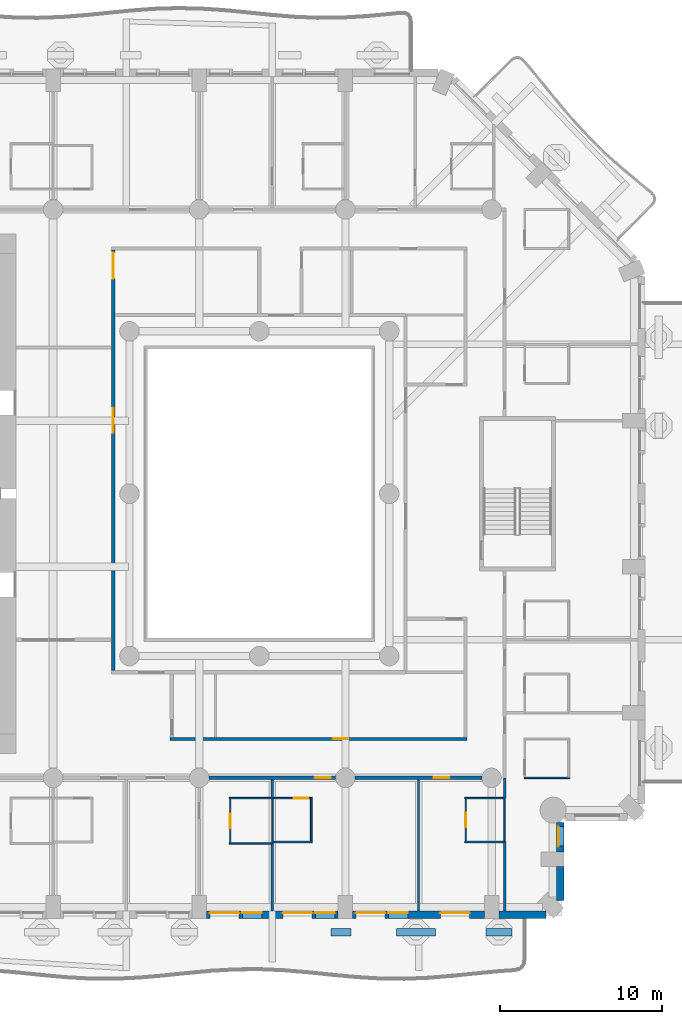
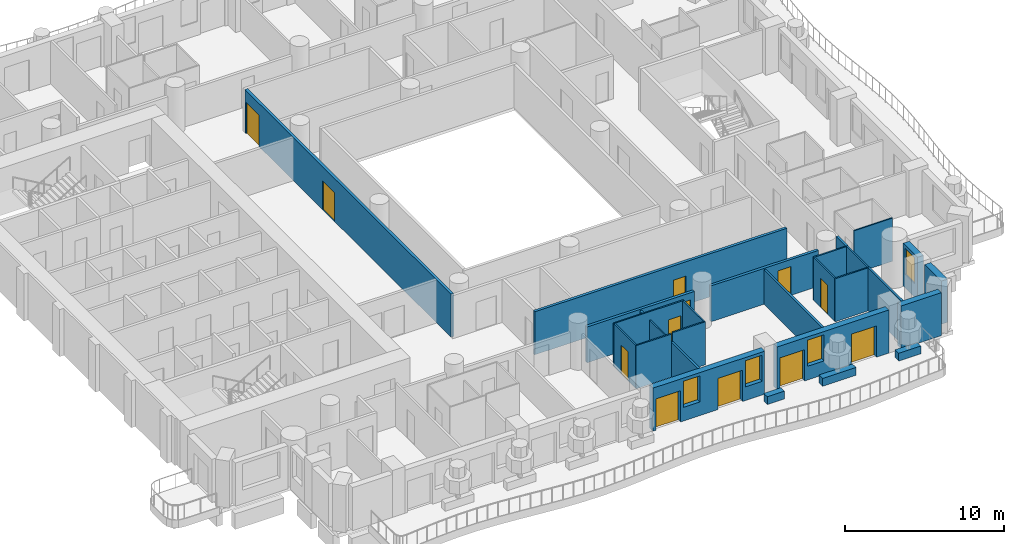
# One storey, part 5 of 20: 28 walls, 12 doors, 4 windows, 16 openings.
"""IFC4 building model written with IfcOpenShell, lengths in metres."""

from ifc_helpers import new_model, si_unit, direction, frame, frame_2d, origin, place, context, subcontext, project, spatial, rectangle, extrude, material, layer, layer_set, type_object, element, fill, save


model = new_model("IFC4")

# Units and contexts
model_context = context("Model", 3, precision=1e-05, world=origin(), true_north=direction((0.0, 1.0)))
body_context = subcontext(model_context, "Body", "Model", "MODEL_VIEW")
ifc_project = project(units=[si_unit("LENGTHUNIT", "METRE"), si_unit("AREAUNIT", "SQUARE_METRE"), si_unit("VOLUMEUNIT", "CUBIC_METRE"), si_unit("PLANEANGLEUNIT", "RADIAN"), si_unit("MASSUNIT", "GRAM", prefix="KILO")], contexts=[model_context])

# Site, building, storey
site_placement = place(None, origin())
site = spatial("IfcSite", under=ifc_project, at=site_placement, CompositionType="ELEMENT")
building_placement = place(site_placement, origin())
building = spatial("IfcBuilding", under=site, at=building_placement, Name="Cypress Arch Tower", CompositionType="ELEMENT")
storey_placement = place(building_placement, frame((0.0, 0.0, 80.699951171875)))
storey = spatial("IfcBuildingStorey", under=building, at=storey_placement, Name="L14", CompositionType="ELEMENT", Elevation=80.699951171875)

# Walls
ifc_material_1 = material(Name="Concrete C40/50, waterproofed", Category="concrete")
ifc_layer_1 = layer(ifc_material_1, 0.449951171875)
ifc_layer_set_1 = layer_set([ifc_layer_1], Name="Balcony planter wall PW450")
wall_type_1 = type_object("IfcWallType", Name="Balcony planter wall PW450", PredefinedType="SOLIDWALL", material=ifc_layer_set_1)
wall_1_placement = place(storey_placement, frame((5.419921875, -27.0, 0.0), z_axis=(0.0, 0.0, 1.0), x_axis=(1.0, 0.0, 0.0)))
element("IfcWall", 1, at=wall_1_placement, inside=storey, type_object=wall_type_1, Name="Balcony planter wall L14-A03.5", PredefinedType="SOLIDWALL", context=body_context, shape_type="SweptSolid", body=[
    extrude(rectangle(XDim=1.22998046875, YDim=0.449951171875, at=frame_2d((0.614990234375, 0.0))), origin(), (0.0, 0.0, 1.0), 0.60009765625),
])
wall_2_placement = place(storey_placement, frame((9.429931640625, -27.0, 0.0), z_axis=(0.0, 0.0, 1.0), x_axis=(1.0, 0.0, 0.0)))
element("IfcWall", 2, at=wall_2_placement, inside=storey, type_object=wall_type_1, Name="Balcony planter wall L14-A03.6", PredefinedType="SOLIDWALL", context=body_context, shape_type="SweptSolid", body=[
    extrude(rectangle(XDim=2.420166015625, YDim=0.449951171875, at=frame_2d((1.2099609375, 0.0))), origin(), (0.0, 0.0, 1.0), 0.60009765625),
])
wall_3_placement = place(storey_placement, frame((14.949951171875, -27.0, 0.0), z_axis=(0.0, 0.0, 1.0), x_axis=(1.0, 0.0, 0.0)))
element("IfcWall", 3, at=wall_3_placement, inside=storey, type_object=wall_type_1, Name="Balcony planter wall L14-A03.7", PredefinedType="SOLIDWALL", context=body_context, shape_type="SweptSolid", body=[
    extrude(rectangle(XDim=1.60009765625, YDim=0.449951171875, at=frame_2d((0.800048828125, 0.0))), origin(), (0.0, 0.0, 1.0), 0.60009765625),
])

# Wall, openings, doors, windows
ifc_material_2 = material(Name="Brick (red buff blend)", Category="masonry")
ifc_layer_2 = layer(ifc_material_2, 0.449951171875)
ifc_layer_set_2 = layer_set([ifc_layer_2], Name="Brick pier and spandrel wall BW450")
wall_type_2 = type_object("IfcWallType", Name="Brick pier and spandrel wall BW450", PredefinedType="SOLIDWALL", material=ifc_layer_set_2)
wall_4_placement = place(storey_placement, frame((-2.25, -25.925048828125, 0.0), z_axis=(0.0, 0.0, 1.0), x_axis=(1.0, 0.0, 0.0)))
wall_4 = element("IfcWall", 4, at=wall_4_placement, inside=storey, type_object=wall_type_2, Name="Brick wall L14 A03.3", PredefinedType="SOLIDWALL", context=body_context, shape_type="SweptSolid", body=[
    extrude(rectangle(XDim=8.10009765625, YDim=0.449951171875, at=frame_2d((4.050048828125, 0.0))), origin(), (0.0, 0.0, 1.0), 3.300048828125),
])
opening_1_placement = place(wall_4_placement, frame((0.199951171875, 0.0, 0.0)))
opening_1 = element("IfcOpeningElement", 5, at=opening_1_placement, cuts=wall_4, Name="Opening D-L14-A03.3.1", PredefinedType="OPENING", context=body_context, shape_type="SweptSolid", body=[
    extrude(rectangle(XDim=1.800048828125, YDim=2.39990234375, at=frame_2d((0.89990234375, 1.199951171875))), frame((0.0, 0.23486328125, 0.0), z_axis=(0.0, -1.0, 0.0), x_axis=(1.0, 0.0, 0.0)), (0.0, 0.0, 1.0), 0.469970703125),
])
opening_2_placement = place(wall_4_placement, frame((2.199951171875, 0.0, 1.050048828125)))
opening_2 = element("IfcOpeningElement", 6, at=opening_2_placement, cuts=wall_4, Name="Opening W120HD", PredefinedType="OPENING", context=body_context, shape_type="SweptSolid", body=[
    extrude(rectangle(XDim=1.199951171875, YDim=2.0, at=frame_2d((0.60009765625, 1.0))), frame((0.0, 0.23486328125, 0.0), z_axis=(0.0, -1.0, 0.0), x_axis=(1.0, 0.0, 0.0)), (0.0, 0.0, 1.0), 0.469970703125),
])
opening_3_placement = place(wall_4_placement, frame((4.699951171875, 0.0, 0.0)))
opening_3 = element("IfcOpeningElement", 7, at=opening_3_placement, cuts=wall_4, Name="Opening D-L14-A03.3.2", PredefinedType="OPENING", context=body_context, shape_type="SweptSolid", body=[
    extrude(rectangle(XDim=1.800048828125, YDim=2.39990234375, at=frame_2d((0.89990234375, 1.199951171875))), frame((0.0, 0.23486328125, 0.0), z_axis=(0.0, -1.0, 0.0), x_axis=(1.0, 0.0, 0.0)), (0.0, 0.0, 1.0), 0.469970703125),
])
opening_4_placement = place(wall_4_placement, frame((6.699951171875, 0.0, 1.050048828125)))
opening_4 = element("IfcOpeningElement", 8, at=opening_4_placement, cuts=wall_4, Name="Opening W120HD", PredefinedType="OPENING", context=body_context, shape_type="SweptSolid", body=[
    extrude(rectangle(XDim=1.199951171875, YDim=2.0, at=frame_2d((0.60009765625, 1.0))), frame((0.0, 0.23486328125, 0.0), z_axis=(0.0, -1.0, 0.0), x_axis=(1.0, 0.0, 0.0)), (0.0, 0.0, 1.0), 0.469970703125),
])
ifc_material_3 = material(Name="Anodised aluminium, bronze finish, laminated low-emissivity double glazing, large-missile impact rated", Category="aluminium")
door_type_1 = type_object("IfcDoorType", Name="Balcony sliding door 1800x2400", OperationType="SLIDING_TO_LEFT", PredefinedType="DOOR", material=ifc_material_3)
door_1_placement = place(opening_1_placement, origin())
door_1 = element("IfcDoor", 9, at=door_1_placement, inside=storey, type_object=door_type_1, Name="Balcony door L14 A03.3.1", OperationType="SLIDING_TO_LEFT", OverallHeight=2.39990234375, OverallWidth=1.800048828125, PredefinedType="DOOR", context=body_context, shape_type="SweptSolid", body=[
    extrude(rectangle(XDim=1.800048828125, YDim=2.39990234375, at=frame_2d((0.89990234375, 1.199951171875))), frame((0.0, 0.1298828125, 0.0), z_axis=(0.0, -1.0, 0.0), x_axis=(1.0, 0.0, 0.0)), (0.0, 0.0, 1.0), 0.050048828125),
])
fill(opening_1, door_1)
door_2_placement = place(opening_3_placement, origin())
door_2 = element("IfcDoor", 10, at=door_2_placement, inside=storey, type_object=door_type_1, Name="Balcony door L14 A03.3.2", OperationType="SLIDING_TO_LEFT", OverallHeight=2.39990234375, OverallWidth=1.800048828125, PredefinedType="DOOR", context=body_context, shape_type="SweptSolid", body=[
    extrude(rectangle(XDim=1.800048828125, YDim=2.39990234375, at=frame_2d((0.89990234375, 1.199951171875))), frame((0.0, 0.1298828125, 0.0), z_axis=(0.0, -1.0, 0.0), x_axis=(1.0, 0.0, 0.0)), (0.0, 0.0, 1.0), 0.050048828125),
])
fill(opening_3, door_2)
ifc_material_4 = material(Name="Anodised aluminium, bronze finish, laminated low-emissivity double glazing, large-missile impact rated", Category="aluminium")
window_type_1 = type_object("IfcWindowType", Name="Window Hotel 1200x2000 debris-rated", PartitioningType="SINGLE_PANEL", PredefinedType="WINDOW", material=ifc_material_4)
window_1_placement = place(opening_2_placement, origin())
window_1 = element("IfcWindow", 11, at=window_1_placement, inside=storey, type_object=window_type_1, Name="Window L14 A03.3.1", OverallHeight=2.0, OverallWidth=1.199951171875, PartitioningType="SINGLE_PANEL", PredefinedType="WINDOW", context=body_context, shape_type="SweptSolid", body=[
    extrude(rectangle(XDim=1.199951171875, YDim=2.0, at=frame_2d((0.60009765625, 1.0))), frame((0.0, 0.135009765625, 0.0), z_axis=(0.0, -1.0, 0.0), x_axis=(1.0, 0.0, 0.0)), (0.0, 0.0, 1.0), 0.06005859375),
])
fill(opening_2, window_1)
window_2_placement = place(opening_4_placement, origin())
window_2 = element("IfcWindow", 12, at=window_2_placement, inside=storey, type_object=window_type_1, Name="Window L14 A03.3.2", OverallHeight=2.0, OverallWidth=1.199951171875, PartitioningType="SINGLE_PANEL", PredefinedType="WINDOW", context=body_context, shape_type="SweptSolid", body=[
    extrude(rectangle(XDim=1.199951171875, YDim=2.0, at=frame_2d((0.60009765625, 1.0))), frame((0.0, 0.135009765625, 0.0), z_axis=(0.0, -1.0, 0.0), x_axis=(1.0, 0.0, 0.0)), (0.0, 0.0, 1.0), 0.06005859375),
])
fill(opening_4, window_2)

# Wall, openings, doors, window
wall_5_placement = place(storey_placement, frame((6.75, -25.925048828125, 0.0), z_axis=(0.0, 0.0, 1.0), x_axis=(1.0, 0.0, 0.0)))
wall_5 = element("IfcWall", 13, at=wall_5_placement, inside=storey, type_object=wall_type_2, Name="Brick wall L14 A03.4", PredefinedType="SOLIDWALL", context=body_context, shape_type="SweptSolid", body=[
    extrude(rectangle(XDim=8.10009765625, YDim=0.449951171875, at=frame_2d((4.050048828125, 0.0))), origin(), (0.0, 0.0, 1.0), 3.300048828125),
])
opening_5_placement = place(wall_5_placement, frame((0.199951171875, 0.0, 0.0)))
opening_5 = element("IfcOpeningElement", 14, at=opening_5_placement, cuts=wall_5, Name="Opening D-L14-A03.4.1", PredefinedType="OPENING", context=body_context, shape_type="SweptSolid", body=[
    extrude(rectangle(XDim=1.800048828125, YDim=2.39990234375, at=frame_2d((0.89990234375, 1.199951171875))), frame((0.0, 0.23486328125, 0.0), z_axis=(0.0, -1.0, 0.0), x_axis=(1.0, 0.0, 0.0)), (0.0, 0.0, 1.0), 0.469970703125),
])
opening_6_placement = place(wall_5_placement, frame((2.199951171875, 0.0, 1.050048828125)))
opening_6 = element("IfcOpeningElement", 15, at=opening_6_placement, cuts=wall_5, Name="Opening W120HD", PredefinedType="OPENING", context=body_context, shape_type="SweptSolid", body=[
    extrude(rectangle(XDim=1.199951171875, YDim=2.0, at=frame_2d((0.60009765625, 1.0))), frame((0.0, 0.23486328125, 0.0), z_axis=(0.0, -1.0, 0.0), x_axis=(1.0, 0.0, 0.0)), (0.0, 0.0, 1.0), 0.469970703125),
])
opening_7_placement = place(wall_5_placement, frame((5.39990234375, 0.0, 0.0)))
opening_7 = element("IfcOpeningElement", 16, at=opening_7_placement, cuts=wall_5, Name="Opening D-L14-A03.4.2", PredefinedType="OPENING", context=body_context, shape_type="SweptSolid", body=[
    extrude(rectangle(XDim=1.800048828125, YDim=2.39990234375, at=frame_2d((0.89990234375, 1.199951171875))), frame((0.0, 0.23486328125, 0.0), z_axis=(0.0, -1.0, 0.0), x_axis=(1.0, 0.0, 0.0)), (0.0, 0.0, 1.0), 0.469970703125),
])
door_3_placement = place(opening_5_placement, origin())
door_3 = element("IfcDoor", 17, at=door_3_placement, inside=storey, type_object=door_type_1, Name="Balcony door L14 A03.4.1", OperationType="SLIDING_TO_LEFT", OverallHeight=2.39990234375, OverallWidth=1.800048828125, PredefinedType="DOOR", context=body_context, shape_type="SweptSolid", body=[
    extrude(rectangle(XDim=1.800048828125, YDim=2.39990234375, at=frame_2d((0.89990234375, 1.199951171875))), frame((0.0, 0.1298828125, 0.0), z_axis=(0.0, -1.0, 0.0), x_axis=(1.0, 0.0, 0.0)), (0.0, 0.0, 1.0), 0.050048828125),
])
fill(opening_5, door_3)
door_4_placement = place(opening_7_placement, origin())
door_4 = element("IfcDoor", 18, at=door_4_placement, inside=storey, type_object=door_type_1, Name="Balcony door L14 A03.4.2", OperationType="SLIDING_TO_LEFT", OverallHeight=2.39990234375, OverallWidth=1.800048828125, PredefinedType="DOOR", context=body_context, shape_type="SweptSolid", body=[
    extrude(rectangle(XDim=1.800048828125, YDim=2.39990234375, at=frame_2d((0.89990234375, 1.199951171875))), frame((0.0, 0.1298828125, 0.0), z_axis=(0.0, -1.0, 0.0), x_axis=(1.0, 0.0, 0.0)), (0.0, 0.0, 1.0), 0.050048828125),
])
fill(opening_7, door_4)
window_3_placement = place(opening_6_placement, origin())
window_3 = element("IfcWindow", 19, at=window_3_placement, inside=storey, type_object=window_type_1, Name="Window L14 A03.4.1", OverallHeight=2.0, OverallWidth=1.199951171875, PartitioningType="SINGLE_PANEL", PredefinedType="WINDOW", context=body_context, shape_type="SweptSolid", body=[
    extrude(rectangle(XDim=1.199951171875, YDim=2.0, at=frame_2d((0.60009765625, 1.0))), frame((0.0, 0.135009765625, 0.0), z_axis=(0.0, -1.0, 0.0), x_axis=(1.0, 0.0, 0.0)), (0.0, 0.0, 1.0), 0.06005859375),
])
fill(opening_6, window_3)

# Walls
wall_6_placement = place(storey_placement, frame((15.75, -25.925048828125, 0.0), z_axis=(0.0, 0.0, 1.0), x_axis=(1.0, 0.0, 0.0)))
element("IfcWall", 20, at=wall_6_placement, inside=storey, type_object=wall_type_2, Name="Brick wall L14 A03.5", PredefinedType="SOLIDWALL", context=body_context, shape_type="SweptSolid", body=[
    extrude(rectangle(XDim=2.91357421875, YDim=0.449951171875, at=frame_2d((1.456787109375, 0.0))), origin(), (0.0, 0.0, 1.0), 3.300048828125),
])
wall_7_placement = place(storey_placement, frame((19.52490234375, -25.063720703125, 0.0), z_axis=(0.0, 0.0, 1.0), x_axis=(0.0, 1.0, 0.0)))
element("IfcWall", 21, at=wall_7_placement, inside=storey, type_object=wall_type_2, Name="Brick wall L14 A04.0", PredefinedType="SOLIDWALL", context=body_context, shape_type="SweptSolid", body=[
    extrude(rectangle(XDim=2.11376953125, YDim=0.449951171875, at=frame_2d((1.056884765625, 0.0))), origin(), (0.0, 0.0, 1.0), 3.300048828125),
])

# Wall, opening, window
wall_8_placement = place(storey_placement, frame((19.52490234375, -22.050048828125, 0.0), z_axis=(0.0, 0.0, 1.0), x_axis=(0.0, 1.0, 0.0)))
wall_8 = element("IfcWall", 22, at=wall_8_placement, inside=storey, type_object=wall_type_2, Name="Brick wall L14 A04.1", PredefinedType="SOLIDWALL", context=body_context, shape_type="SweptSolid", body=[
    extrude(rectangle(XDim=1.79150390625, YDim=0.449951171875, at=frame_2d((0.895751953125, 0.0))), origin(), (0.0, 0.0, 1.0), 3.300048828125),
])
opening_8_placement = place(wall_8_placement, frame((0.35009765625, 0.0, 1.050048828125)))
opening_8 = element("IfcOpeningElement", 23, at=opening_8_placement, cuts=wall_8, Name="Opening W120H", PredefinedType="OPENING", context=body_context, shape_type="SweptSolid", body=[
    extrude(rectangle(XDim=1.199951171875, YDim=2.0, at=frame_2d((0.60009765625, 1.0))), frame((0.0, 0.23486328125, 0.0), z_axis=(0.0, -1.0, 0.0), x_axis=(1.0, 0.0, 0.0)), (0.0, 0.0, 1.0), 0.469970703125),
])
ifc_material_5 = material(Name="Anodised aluminium, bronze finish, clear low-emissivity double glazing", Category="aluminium")
window_type_2 = type_object("IfcWindowType", Name="Window Hotel 1200x2000", PartitioningType="SINGLE_PANEL", PredefinedType="WINDOW", material=ifc_material_5)
window_4_placement = place(opening_8_placement, origin())
window_4 = element("IfcWindow", 24, at=window_4_placement, inside=storey, type_object=window_type_2, Name="Window L14 A04.1.1", OverallHeight=2.0, OverallWidth=1.199951171875, PartitioningType="SINGLE_PANEL", PredefinedType="WINDOW", context=body_context, shape_type="SweptSolid", body=[
    extrude(rectangle(XDim=1.199951171875, YDim=2.0, at=frame_2d((0.60009765625, 1.0))), frame((0.0, 0.135009765625, 0.0), z_axis=(0.0, -1.0, 0.0), x_axis=(1.0, 0.0, 0.0)), (0.0, 0.0, 1.0), 0.06005859375),
])
fill(opening_8, window_4)

# Wall, opening, door
ifc_material_6 = material(Name="Concrete blockwork, plastered, rated", Category="masonry")
ifc_layer_3 = layer(ifc_material_6, 0.199951171875)
ifc_layer_set_3 = layer_set([ifc_layer_3], Name="Corridor wall FW200")
wall_type_3 = type_object("IfcWallType", Name="Corridor wall FW200", PredefinedType="PARTITIONING", material=ifc_layer_set_3)
wall_9_placement = place(storey_placement, frame((-2.10009765625, -17.5, 0.0), z_axis=(0.0, 0.0, 1.0), x_axis=(1.0, 0.0, 0.0)))
wall_9 = element("IfcWall", 25, at=wall_9_placement, inside=storey, type_object=wall_type_3, Name="Corridor wall", PredefinedType="PARTITIONING", context=body_context, shape_type="SweptSolid", body=[
    extrude(rectangle(XDim=7.800048828125, YDim=0.199951171875, at=frame_2d((3.89990234375, 0.0))), origin(), (0.0, 0.0, 1.0), 2.75),
])
opening_9_placement = place(wall_9_placement, frame((6.550048828125, 0.0, 0.0)))
opening_9 = element("IfcOpeningElement", 26, at=opening_9_placement, cuts=wall_9, Name="Opening D02", PredefinedType="OPENING", context=body_context, shape_type="SweptSolid", body=[
    extrude(rectangle(XDim=0.949951171875, YDim=2.199951171875, at=frame_2d((0.47509765625, 1.10009765625))), frame((0.0, 0.10986328125, 0.0), z_axis=(0.0, -1.0, 0.0), x_axis=(1.0, 0.0, 0.0)), (0.0, 0.0, 1.0), 0.219970703125),
])
ifc_material_7 = material(Name="Timber flush door, fire resisting", Category="wood")
door_type_2 = type_object("IfcDoorType", Name="Room door D02 950x2200", OperationType="SINGLE_SWING_LEFT", PredefinedType="DOOR", material=ifc_material_7)
door_5_placement = place(opening_9_placement, origin())
door_5 = element("IfcDoor", 27, at=door_5_placement, inside=storey, type_object=door_type_2, Name="Room door", OperationType="SINGLE_SWING_LEFT", OverallHeight=2.199951171875, OverallWidth=0.949951171875, PredefinedType="DOOR", context=body_context, shape_type="SweptSolid", body=[
    extrude(rectangle(XDim=0.949951171875, YDim=2.199951171875, at=frame_2d((0.47509765625, 1.10009765625))), frame((0.0, 0.02490234375, 0.0), z_axis=(0.0, -1.0, 0.0), x_axis=(1.0, 0.0, 0.0)), (0.0, 0.0, 1.0), 0.050048828125),
])
fill(opening_9, door_5)

wall_10_placement = place(storey_placement, frame((6.89990234375, -17.5, 0.0), z_axis=(0.0, 0.0, 1.0), x_axis=(1.0, 0.0, 0.0)))
wall_10 = element("IfcWall", 28, at=wall_10_placement, inside=storey, type_object=wall_type_3, Name="Corridor wall", PredefinedType="PARTITIONING", context=body_context, shape_type="SweptSolid", body=[
    extrude(rectangle(XDim=7.800048828125, YDim=0.199951171875, at=frame_2d((3.89990234375, 0.0))), origin(), (0.0, 0.0, 1.0), 2.75),
])
opening_10_placement = place(wall_10_placement, frame((4.85009765625, 0.0, 0.0)))
opening_10 = element("IfcOpeningElement", 29, at=opening_10_placement, cuts=wall_10, Name="Opening D02", PredefinedType="OPENING", context=body_context, shape_type="SweptSolid", body=[
    extrude(rectangle(XDim=0.949951171875, YDim=2.199951171875, at=frame_2d((0.47509765625, 1.10009765625))), frame((0.0, 0.10986328125, 0.0), z_axis=(0.0, -1.0, 0.0), x_axis=(1.0, 0.0, 0.0)), (0.0, 0.0, 1.0), 0.219970703125),
])
door_6_placement = place(opening_10_placement, origin())
door_6 = element("IfcDoor", 30, at=door_6_placement, inside=storey, type_object=door_type_2, Name="Room door", OperationType="SINGLE_SWING_RIGHT", OverallHeight=2.199951171875, OverallWidth=0.949951171875, PredefinedType="DOOR", context=body_context, shape_type="SweptSolid", body=[
    extrude(rectangle(XDim=0.949951171875, YDim=2.199951171875, at=frame_2d((0.47509765625, 1.10009765625))), frame((0.0, 0.02490234375, 0.0), z_axis=(0.0, -1.0, 0.0), x_axis=(1.0, 0.0, 0.0)), (0.0, 0.0, 1.0), 0.050048828125),
])
fill(opening_10, door_6)

# Wall, openings, doors
wall_11_placement = place(storey_placement, frame((-8.0, -10.89990234375, 0.0), z_axis=(0.0, 0.0, 1.0), x_axis=(0.0, 1.0, 0.0)))
wall_11 = element("IfcWall", 31, at=wall_11_placement, inside=storey, type_object=wall_type_3, Name="Corridor wall", PredefinedType="PARTITIONING", context=body_context, shape_type="SweptSolid", body=[
    extrude(rectangle(XDim=25.89990234375, YDim=0.199951171875, at=frame_2d((12.949951171875, 0.0))), origin(), (0.0, 0.0, 1.0), 3.300048828125),
])
opening_11_placement = place(wall_11_placement, frame((14.64990234375, 0.0, 0.0)))
opening_11 = element("IfcOpeningElement", 32, at=opening_11_placement, cuts=wall_11, Name="Opening D04", PredefinedType="OPENING", context=body_context, shape_type="SweptSolid", body=[
    extrude(rectangle(XDim=1.5, YDim=2.199951171875, at=frame_2d((0.75, 1.10009765625))), frame((0.0, 0.10986328125, 0.0), z_axis=(0.0, -1.0, 0.0), x_axis=(1.0, 0.0, 0.0)), (0.0, 0.0, 1.0), 0.219970703125),
])
opening_12_placement = place(wall_11_placement, frame((24.14990234375, 0.0, 0.0)))
opening_12 = element("IfcOpeningElement", 33, at=opening_12_placement, cuts=wall_11, Name="Opening D10", PredefinedType="OPENING", context=body_context, shape_type="SweptSolid", body=[
    extrude(rectangle(XDim=1.60009765625, YDim=2.39990234375, at=frame_2d((0.800048828125, 1.199951171875))), frame((0.0, 0.10986328125, 0.0), z_axis=(0.0, -1.0, 0.0), x_axis=(1.0, 0.0, 0.0)), (0.0, 0.0, 1.0), 0.219970703125),
])
ifc_material_8 = material(Name="Black aluminium glazed door", Category="aluminium")
door_type_3 = type_object("IfcDoorType", Name="Amenity door D10 1600x2400", OperationType="DOUBLE_DOOR_SINGLE_SWING", PredefinedType="DOOR", material=ifc_material_8)
door_7_placement = place(opening_12_placement, origin())
door_7 = element("IfcDoor", 34, at=door_7_placement, inside=storey, type_object=door_type_3, Name="Amenity door", OperationType="DOUBLE_DOOR_SINGLE_SWING", OverallHeight=2.39990234375, OverallWidth=1.60009765625, PredefinedType="DOOR", context=body_context, shape_type="SweptSolid", body=[
    extrude(rectangle(XDim=1.60009765625, YDim=2.39990234375, at=frame_2d((0.800048828125, 1.199951171875))), frame((0.0, 0.02490234375, 0.0), z_axis=(0.0, -1.0, 0.0), x_axis=(1.0, 0.0, 0.0)), (0.0, 0.0, 1.0), 0.050048828125),
])
fill(opening_12, door_7)
ifc_material_9 = material(Name="Timber double door", Category="wood")
door_type_4 = type_object("IfcDoorType", Name="Double door D04 1500x2200", OperationType="DOUBLE_DOOR_SINGLE_SWING", PredefinedType="DOOR", material=ifc_material_9)
door_8_placement = place(opening_11_placement, origin())
door_8 = element("IfcDoor", 35, at=door_8_placement, inside=storey, type_object=door_type_4, Name="Double door", OperationType="DOUBLE_DOOR_SINGLE_SWING", OverallHeight=2.199951171875, OverallWidth=1.5, PredefinedType="DOOR", context=body_context, shape_type="SweptSolid", body=[
    extrude(rectangle(XDim=1.5, YDim=2.199951171875, at=frame_2d((0.75, 1.10009765625))), frame((0.0, 0.02490234375, 0.0), z_axis=(0.0, -1.0, 0.0), x_axis=(1.0, 0.0, 0.0)), (0.0, 0.0, 1.0), 0.050048828125),
])
fill(opening_11, door_8)

# Wall, opening, door
wall_12_placement = place(storey_placement, frame((-4.5, -15.10009765625, 0.0), z_axis=(0.0, 0.0, 1.0), x_axis=(1.0, 0.0, 0.0)))
wall_12 = element("IfcWall", 36, at=wall_12_placement, inside=storey, type_object=wall_type_3, Name="Corridor wall", PredefinedType="PARTITIONING", context=body_context, shape_type="SweptSolid", body=[
    extrude(rectangle(XDim=18.300048828125, YDim=0.199951171875, at=frame_2d((9.14990234375, 0.0))), origin(), (0.0, 0.0, 1.0), 3.300048828125),
])
opening_13_placement = place(wall_12_placement, frame((10.050048828125, 0.0, 0.0)))
opening_13 = element("IfcOpeningElement", 37, at=opening_13_placement, cuts=wall_12, Name="Opening D05", PredefinedType="OPENING", context=body_context, shape_type="SweptSolid", body=[
    extrude(rectangle(XDim=0.89990234375, YDim=2.199951171875, at=frame_2d((0.449951171875, 1.10009765625))), frame((0.0, 0.10986328125, 0.0), z_axis=(0.0, -1.0, 0.0), x_axis=(1.0, 0.0, 0.0)), (0.0, 0.0, 1.0), 0.219970703125),
])
ifc_material_10 = material(Name="Timber flush door", Category="wood")
door_type_5 = type_object("IfcDoorType", Name="Service door D05 900x2200", OperationType="SINGLE_SWING_LEFT", PredefinedType="DOOR", material=ifc_material_10)
door_9_placement = place(opening_13_placement, origin())
door_9 = element("IfcDoor", 38, at=door_9_placement, inside=storey, type_object=door_type_5, Name="Service door", OperationType="SINGLE_SWING_RIGHT", OverallHeight=2.199951171875, OverallWidth=0.89990234375, PredefinedType="DOOR", context=body_context, shape_type="SweptSolid", body=[
    extrude(rectangle(XDim=0.89990234375, YDim=2.199951171875, at=frame_2d((0.449951171875, 1.10009765625))), frame((0.0, 0.02490234375, 0.0), z_axis=(0.0, -1.0, 0.0), x_axis=(1.0, 0.0, 0.0)), (0.0, 0.0, 1.0), 0.050048828125),
])
fill(opening_13, door_9)

# Walls
ifc_material_11 = material(Name="Blockwork, plastered both sides", Category="masonry")
ifc_layer_4 = layer(ifc_material_11, 0.14990234375)
ifc_layer_set_4 = layer_set([ifc_layer_4], Name="Partition PW150")
wall_type_4 = type_object("IfcWallType", Name="Partition PW150", PredefinedType="PARTITIONING", material=ifc_layer_set_4)
wall_13_placement = place(storey_placement, frame((1.800048828125, -25.699951171875, 0.0), z_axis=(0.0, 0.0, 1.0), x_axis=(0.0, 1.0, 0.0)))
element("IfcWall", 39, at=wall_13_placement, inside=storey, type_object=wall_type_4, Name="Partition", PredefinedType="PARTITIONING", context=body_context, shape_type="SweptSolid", body=[
    extrude(rectangle(XDim=4.14990234375, YDim=0.14990234375, at=frame_2d((2.074951171875, 0.0))), origin(), (0.0, 0.0, 1.0), 2.650146484375),
])
wall_14_placement = place(storey_placement, frame((1.800048828125, -18.72998046875, 0.0), z_axis=(0.0, 0.0, 1.0), x_axis=(0.0, 1.0, 0.0)))
element("IfcWall", 40, at=wall_14_placement, inside=storey, type_object=wall_type_4, Name="Partition", PredefinedType="PARTITIONING", context=body_context, shape_type="SweptSolid", body=[
    extrude(rectangle(XDim=1.1298828125, YDim=0.14990234375, at=frame_2d((0.56494140625, 0.0))), origin(), (0.0, 0.0, 1.0), 2.650146484375),
])
wall_15_placement = place(storey_placement, frame((10.800048828125, -25.699951171875, 0.0), z_axis=(0.0, 0.0, 1.0), x_axis=(0.0, 1.0, 0.0)))
element("IfcWall", 41, at=wall_15_placement, inside=storey, type_object=wall_type_4, Name="Partition", PredefinedType="PARTITIONING", context=body_context, shape_type="SweptSolid", body=[
    extrude(rectangle(XDim=8.099853515625, YDim=0.14990234375, at=frame_2d((4.0498046875, 0.0))), origin(), (0.0, 0.0, 1.0), 2.650146484375),
])
wall_16_placement = place(storey_placement, frame((16.10009765625, -25.699951171875, 0.0), z_axis=(0.0, 0.0, 1.0), x_axis=(0.0, 1.0, 0.0)))
element("IfcWall", 42, at=wall_16_placement, inside=storey, type_object=wall_type_4, Name="Partition", PredefinedType="PARTITIONING", context=body_context, shape_type="SweptSolid", body=[
    extrude(rectangle(XDim=4.27001953125, YDim=0.14990234375, at=frame_2d((2.135009765625, 0.0))), origin(), (0.0, 0.0, 1.0), 3.300048828125),
])
wall_17_placement = place(storey_placement, frame((16.10009765625, -18.72998046875, 0.0), z_axis=(0.0, 0.0, 1.0), x_axis=(0.0, 1.0, 0.0)))
element("IfcWall", 43, at=wall_17_placement, inside=storey, type_object=wall_type_4, Name="Partition", PredefinedType="PARTITIONING", context=body_context, shape_type="SweptSolid", body=[
    extrude(rectangle(XDim=1.22998046875, YDim=0.14990234375, at=frame_2d((0.614990234375, 0.0))), origin(), (0.0, 0.0, 1.0), 3.300048828125),
])

# Wall, opening, door
ifc_material_12 = material(Name="Moisture resistant board on steel studs, tiled", Category="steel")
ifc_layer_5 = layer(ifc_material_12, 0.10009765625)
ifc_layer_set_5 = layer_set([ifc_layer_5], Name="Wet wall PW100")
wall_type_5 = type_object("IfcWallType", Name="Wet wall PW100", PredefinedType="PARTITIONING", material=ifc_layer_set_5)
wall_18_placement = place(storey_placement, frame((-0.7958984375, -21.5, 0.0), z_axis=(0.0, 0.0, 1.0), x_axis=(0.0, 1.0, 0.0)))
wall_18 = element("IfcWall", 44, at=wall_18_placement, inside=storey, type_object=wall_type_5, Name="Wet wall", PredefinedType="PARTITIONING", context=body_context, shape_type="SweptSolid", body=[
    extrude(rectangle(XDim=2.699951171875, YDim=0.10009765625, at=frame_2d((1.35009765625, 0.0))), origin(), (0.0, 0.0, 1.0), 3.300048828125),
])
opening_14_placement = place(wall_18_placement, frame((0.89990234375, 0.0, 0.0)))
opening_14 = element("IfcOpeningElement", 45, at=opening_14_placement, cuts=wall_18, Name="Opening D03", PredefinedType="OPENING", context=body_context, shape_type="SweptSolid", body=[
    extrude(rectangle(XDim=0.89990234375, YDim=2.199951171875, at=frame_2d((0.449951171875, 1.10009765625))), frame((0.0, 0.06005859375, 0.0), z_axis=(0.0, -1.0, 0.0), x_axis=(1.0, 0.0, 0.0)), (0.0, 0.0, 1.0), 0.1201171875),
])
ifc_material_13 = material(Name="Timber flush door, moisture resistant", Category="wood")
door_type_6 = type_object("IfcDoorType", Name="Bathroom door D03 900x2200", OperationType="SINGLE_SWING_LEFT", PredefinedType="DOOR", material=ifc_material_13)
door_10_placement = place(opening_14_placement, origin())
door_10 = element("IfcDoor", 46, at=door_10_placement, inside=storey, type_object=door_type_6, Name="Bathroom door", OperationType="SINGLE_SWING_LEFT", OverallHeight=2.199951171875, OverallWidth=0.89990234375, PredefinedType="DOOR", context=body_context, shape_type="SweptSolid", body=[
    extrude(rectangle(XDim=0.89990234375, YDim=2.199951171875, at=frame_2d((0.449951171875, 1.10009765625))), frame((0.0, 0.02490234375, 0.0), z_axis=(0.0, -1.0, 0.0), x_axis=(1.0, 0.0, 0.0)), (0.0, 0.0, 1.0), 0.050048828125),
])
fill(opening_14, door_10)

# Wall
wall_19_placement = place(storey_placement, frame((-0.845947265625, -21.550048828125, 0.0), z_axis=(0.0, 0.0, 1.0), x_axis=(1.0, 0.0, 0.0)))
element("IfcWall", 47, at=wall_19_placement, inside=storey, type_object=wall_type_5, Name="Wet wall", PredefinedType="PARTITIONING", context=body_context, shape_type="SweptSolid", body=[
    extrude(rectangle(XDim=2.571044921875, YDim=0.10009765625, at=frame_2d((1.28564453125, 0.0))), origin(), (0.0, 0.0, 1.0), 3.300048828125),
])

# Wall, opening, door
wall_20_placement = place(storey_placement, frame((-0.845947265625, -18.75, 0.0), z_axis=(0.0, 0.0, 1.0), x_axis=(1.0, 0.0, 0.0)))
wall_20 = element("IfcWall", 48, at=wall_20_placement, inside=storey, type_object=wall_type_5, Name="Wet wall", PredefinedType="PARTITIONING", context=body_context, shape_type="SweptSolid", body=[
    extrude(rectangle(XDim=5.092041015625, YDim=0.10009765625, at=frame_2d((2.5458984375, 0.0))), origin(), (0.0, 0.0, 1.0), 3.300048828125),
])
opening_15_placement = place(wall_20_placement, frame((3.949951171875, 0.0, 0.0)))
opening_15 = element("IfcOpeningElement", 49, at=opening_15_placement, cuts=wall_20, Name="Opening D03", PredefinedType="OPENING", context=body_context, shape_type="SweptSolid", body=[
    extrude(rectangle(XDim=0.89990234375, YDim=2.199951171875, at=frame_2d((0.449951171875, 1.10009765625))), frame((0.0, 0.06005859375, 0.0), z_axis=(0.0, -1.0, 0.0), x_axis=(1.0, 0.0, 0.0)), (0.0, 0.0, 1.0), 0.1201171875),
])
door_11_placement = place(opening_15_placement, origin())
door_11 = element("IfcDoor", 50, at=door_11_placement, inside=storey, type_object=door_type_6, Name="Bathroom door", OperationType="SINGLE_SWING_LEFT", OverallHeight=2.199951171875, OverallWidth=0.89990234375, PredefinedType="DOOR", context=body_context, shape_type="SweptSolid", body=[
    extrude(rectangle(XDim=0.89990234375, YDim=2.199951171875, at=frame_2d((0.449951171875, 1.10009765625))), frame((0.0, 0.02490234375, 0.0), z_axis=(0.0, -1.0, 0.0), x_axis=(1.0, 0.0, 0.0)), (0.0, 0.0, 1.0), 0.050048828125),
])
fill(opening_15, door_11)

# Walls
wall_21_placement = place(storey_placement, frame((1.800048828125, -21.550048828125, 0.0), z_axis=(0.0, 0.0, 1.0), x_axis=(0.0, 1.0, 0.0)))
element("IfcWall", 51, at=wall_21_placement, inside=storey, type_object=wall_type_5, Name="Wet wall", PredefinedType="PARTITIONING", context=body_context, shape_type="SweptSolid", body=[
    extrude(rectangle(XDim=2.820068359375, YDim=0.10009765625, at=frame_2d((1.41015625, 0.0))), origin(), (0.0, 0.0, 1.0), 2.650146484375),
])
wall_22_placement = place(storey_placement, frame((1.85009765625, -21.449951171875, 0.0), z_axis=(0.0, 0.0, 1.0), x_axis=(1.0, 0.0, 0.0)))
element("IfcWall", 52, at=wall_22_placement, inside=storey, type_object=wall_type_5, Name="Wet wall", PredefinedType="PARTITIONING", context=body_context, shape_type="SweptSolid", body=[
    extrude(rectangle(XDim=2.39599609375, YDim=0.10009765625, at=frame_2d((1.197998046875, 0.0))), origin(), (0.0, 0.0, 1.0), 3.300048828125),
])
wall_23_placement = place(storey_placement, frame((4.196044921875, -21.39990234375, 0.0), z_axis=(0.0, 0.0, 1.0), x_axis=(0.0, 1.0, 0.0)))
element("IfcWall", 53, at=wall_23_placement, inside=storey, type_object=wall_type_5, Name="Wet wall", PredefinedType="PARTITIONING", context=body_context, shape_type="SweptSolid", body=[
    extrude(rectangle(XDim=2.599853515625, YDim=0.10009765625, at=frame_2d((1.2998046875, 0.0))), origin(), (0.0, 0.0, 1.0), 3.300048828125),
])

# Wall, opening, door
wall_24_placement = place(storey_placement, frame((13.699951171875, -21.39990234375, 0.0), z_axis=(0.0, 0.0, 1.0), x_axis=(0.0, 1.0, 0.0)))
wall_24 = element("IfcWall", 54, at=wall_24_placement, inside=storey, type_object=wall_type_5, Name="Wet wall", PredefinedType="PARTITIONING", context=body_context, shape_type="SweptSolid", body=[
    extrude(rectangle(XDim=2.599853515625, YDim=0.10009765625, at=frame_2d((1.2998046875, 0.0))), origin(), (0.0, 0.0, 1.0), 3.300048828125),
])
opening_16_placement = place(wall_24_placement, frame((0.85009765625, 0.0, 0.0)))
opening_16 = element("IfcOpeningElement", 55, at=opening_16_placement, cuts=wall_24, Name="Opening D03", PredefinedType="OPENING", context=body_context, shape_type="SweptSolid", body=[
    extrude(rectangle(XDim=0.89990234375, YDim=2.199951171875, at=frame_2d((0.449951171875, 1.10009765625))), frame((0.0, 0.06005859375, 0.0), z_axis=(0.0, -1.0, 0.0), x_axis=(1.0, 0.0, 0.0)), (0.0, 0.0, 1.0), 0.1201171875),
])
door_12_placement = place(opening_16_placement, origin())
door_12 = element("IfcDoor", 56, at=door_12_placement, inside=storey, type_object=door_type_6, Name="Bathroom door", OperationType="SINGLE_SWING_LEFT", OverallHeight=2.199951171875, OverallWidth=0.89990234375, PredefinedType="DOOR", context=body_context, shape_type="SweptSolid", body=[
    extrude(rectangle(XDim=0.89990234375, YDim=2.199951171875, at=frame_2d((0.449951171875, 1.10009765625))), frame((0.0, 0.02490234375, 0.0), z_axis=(0.0, -1.0, 0.0), x_axis=(1.0, 0.0, 0.0)), (0.0, 0.0, 1.0), 0.050048828125),
])
fill(opening_16, door_12)

# Walls
for number, where, z_axis, x_axis, name in (
    (57, (13.64990234375, -21.449951171875, 0.0), (0.0, 0.0, 1.0), (1.0, 0.0, 0.0), "Wet wall"),
    (58, (13.64990234375, -18.75, 0.0), (0.0, 0.0, 1.0), (1.0, 0.0, 0.0), "Wet wall"),
):
    element("IfcWall", number, at=place(storey_placement, frame(where, z_axis=z_axis, x_axis=x_axis)), inside=storey, type_object=wall_type_5, Name=name, PredefinedType="PARTITIONING", context=body_context, shape_type="SweptSolid", body=[
        extrude(rectangle(XDim=2.375, YDim=0.10009765625, at=frame_2d((1.1875, 0.0))), origin(), (0.0, 0.0, 1.0), 3.300048828125),
    ])
wall_25_placement = place(storey_placement, frame((16.10009765625, -21.429931640625, 0.0), z_axis=(0.0, 0.0, 1.0), x_axis=(0.0, 1.0, 0.0)))
element("IfcWall", 59, at=wall_25_placement, inside=storey, type_object=wall_type_5, Name="Wet wall", PredefinedType="PARTITIONING", context=body_context, shape_type="SweptSolid", body=[
    extrude(rectangle(XDim=2.699951171875, YDim=0.10009765625, at=frame_2d((1.35009765625, 0.0))), origin(), (0.0, 0.0, 1.0), 3.300048828125),
])
wall_26_placement = place(storey_placement, frame((17.300048828125, -17.5, 0.0), z_axis=(0.0, 0.0, 1.0), x_axis=(1.0, 0.0, 0.0)))
element("IfcWall", 60, at=wall_26_placement, inside=storey, type_object=wall_type_5, Name="Wet wall", PredefinedType="PARTITIONING", context=body_context, shape_type="SweptSolid", body=[
    extrude(rectangle(XDim=2.800048828125, YDim=0.10009765625, at=frame_2d((1.39990234375, 0.0))), origin(), (0.0, 0.0, 1.0), 3.300048828125),
])

save(model, "model.ifc")
